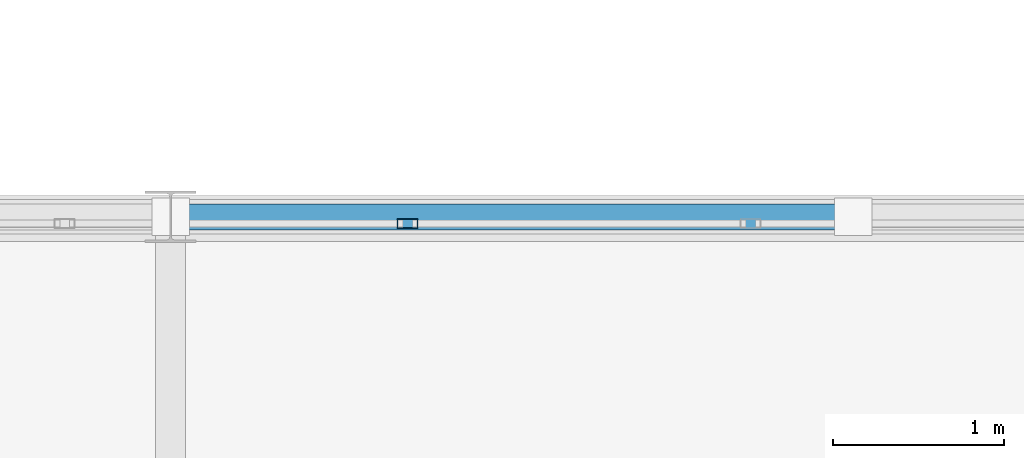
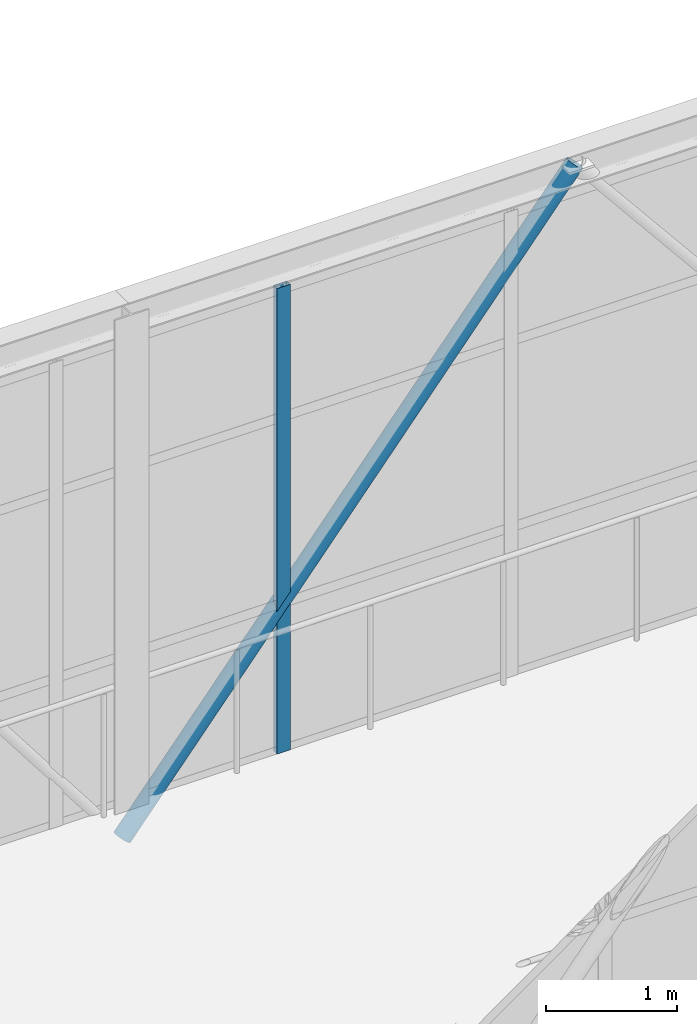
# One storey, part 29 of 248: 2 members, 1 element without a shape of its own.
"""IFC4 building model written with IfcOpenShell, lengths in metres."""

from ifc_helpers import new_model, si_unit, direction, frame, origin, origin_2d, place, context, subcontext, project, spatial, hollow_rectangle, hollow_circle, extrude, material, layer, layer_set, material_profile, profile_set, type_object, element, aggregate, save


model = new_model("IFC4")

# Units and contexts
model_context = context("Model", 3, precision=1e-05, world=origin(), true_north=direction((0.0, 1.0)))
body_context = subcontext(model_context, "Body", "Model", "MODEL_VIEW")
ifc_project = project(units=[si_unit("LENGTHUNIT", "METRE"), si_unit("AREAUNIT", "SQUARE_METRE"), si_unit("VOLUMEUNIT", "CUBIC_METRE"), si_unit("PLANEANGLEUNIT", "RADIAN"), si_unit("MASSUNIT", "GRAM", prefix="KILO")], contexts=[model_context])

# Site, building, storey
site_placement = place(None, origin())
site = spatial("IfcSite", under=ifc_project, at=site_placement, CompositionType="ELEMENT")
building_placement = place(site_placement, origin())
building = spatial("IfcBuilding", under=site, at=building_placement, Name="Canggui Botanical Conservatory", CompositionType="ELEMENT")
storey_placement = place(building_placement, frame((0.0, 0.0, 5.39990234375)))
storey = spatial("IfcBuildingStorey", under=building, at=storey_placement, Name="L02", CompositionType="ELEMENT", Elevation=5.39990234375)

# Curtain wall, member
ifc_material_1 = material(Name="Thermally Broken Aluminium", Category="aluminium")
ifc_layer = layer(ifc_material_1, 0.1201171875, Name="Thermally Broken Aluminium", Category="aluminium")
ifc_layer_set = layer_set([ifc_layer], Name="Thermally Broken Aluminium")
curtain_wall_type = type_object("IfcCurtainWallType", Name="CW-STICK-B", PredefinedType="USERDEFINED", material=ifc_layer_set)
curtain_wall_placement = place(storey_placement, origin())
curtain_wall = element("IfcCurtainWall", 1, at=curtain_wall_placement, inside=storey, type_object=curtain_wall_type, Name="Facade Curtain Wall CW-SB-01-2", ObjectType="STICK GLAZED WALL", PredefinedType="USERDEFINED")
ifc_material_profile_1 = material_profile(ifc_material_1, hollow_rectangle(XDim=0.054931640625, YDim=0.1201171875, WallThickness=0.0029296875, at=origin_2d()), Name="CWM 55x120x3")
ifc_profile_set_1 = profile_set([ifc_material_profile_1], Name="Thermally Broken Aluminium")
member_type_1 = type_object("IfcMemberType", Name="CWM-05", PredefinedType="MULLION", material=ifc_profile_set_1)
member_1_placement = place(storey_placement, frame((74.888671875, 30.9599609375, 0.0), z_axis=(0.0, 0.0, 1.0), x_axis=(0.0, 1.0, 0.0)))
member_1 = element("IfcMember", 2, at=member_1_placement, type_object=member_type_1, Name="CW-05 mullion 5", PredefinedType="MULLION", context=body_context, shape_type="SweptSolid", body=[
    extrude(hollow_rectangle(XDim=0.054931640625, YDim=0.1201171875, WallThickness=0.0029296875, at=origin_2d()), origin(), (0.0, 0.0, 1.0), 4.35009765625),
])
aggregate(curtain_wall, [member_1])

# Member
ifc_material_2 = material(Name="Steel Q355C", Category="steel")
ifc_material_profile_2 = material_profile(ifc_material_2, hollow_circle(Radius=0.075927734375, WallThickness=0.006103515625, at=origin_2d()), Name="CHS 152x6")
ifc_profile_set_2 = profile_set([ifc_material_profile_2], Name="Steel Q355C")
member_type_2 = type_object("IfcMemberType", Name="MEM-GSD04", PredefinedType="RAFTER", material=ifc_profile_set_2)
member_2_placement = place(storey_placement, frame((73.5, 31.0, -0.349853515625), z_axis=(0.632384053133, 0.0, 0.774655026024), x_axis=(0.0, 1.0, 0.0)))
element("IfcMember", 3, at=member_2_placement, inside=storey, type_object=member_type_2, Name="SB-01 Truss Web Rafter 2.2A", PredefinedType="RAFTER", context=body_context, shape_type="SweptSolid", body=[
    extrude(hollow_circle(Radius=0.075927734375, WallThickness=0.006103515625, at=origin_2d()), origin(), (0.0, 0.0, 1.0), 6.3251953125),
])

save(model, "model.ifc")
